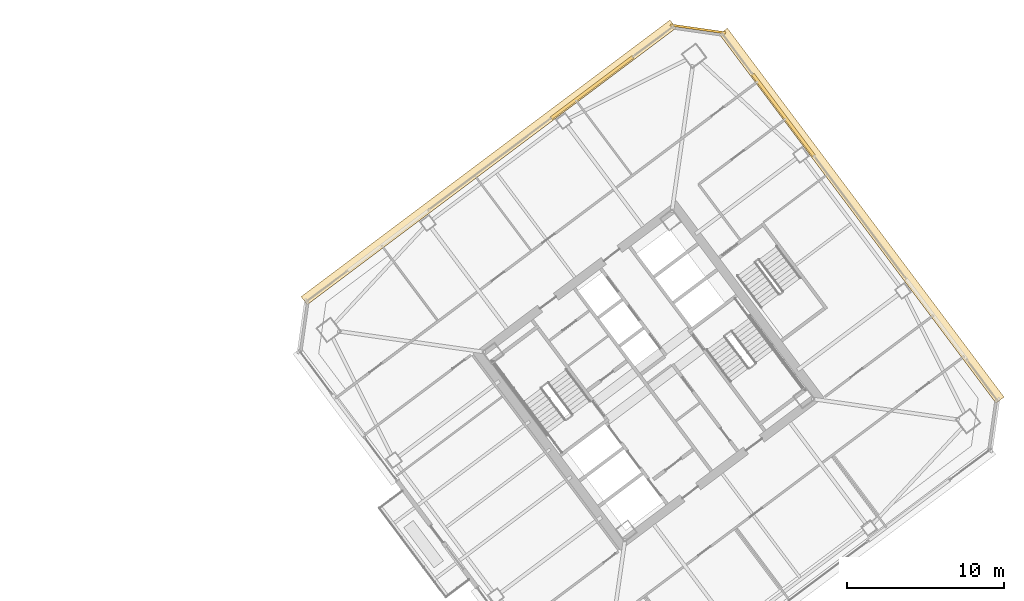
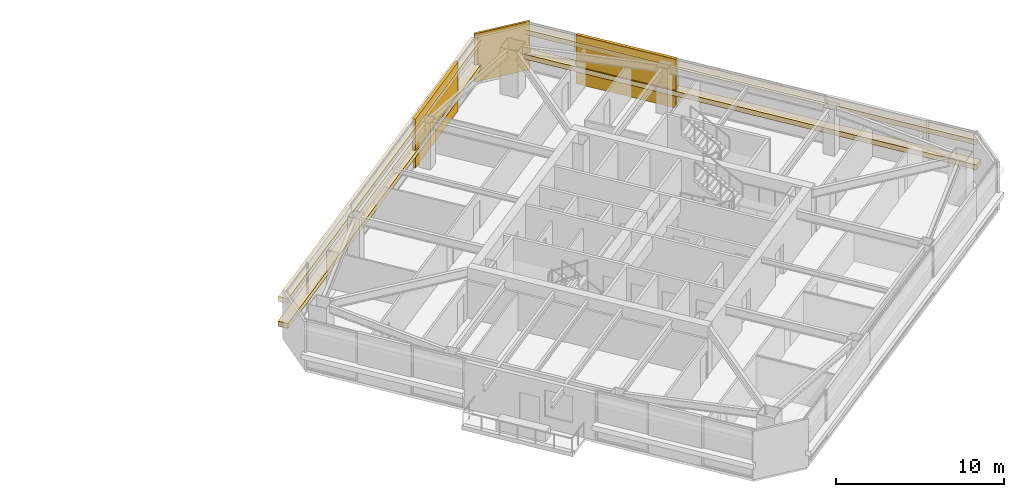
# One storey, part 41 of 41: 7 coverings.
"""IFC4 building model written with IfcOpenShell, lengths in metres."""

from ifc_helpers import new_model, si_unit, direction, frame, origin, origin_2d, place, context, subcontext, project, spatial, rectangle, extrude, material, layer, layer_set, type_object, element, save


model = new_model("IFC4")

# Units and contexts
model_context = context("Model", 3, precision=1e-05, world=origin(), true_north=direction((0.0, 1.0)))
body_context = subcontext(model_context, "Body", "Model", "MODEL_VIEW")
ifc_project = project(units=[si_unit("LENGTHUNIT", "METRE"), si_unit("AREAUNIT", "SQUARE_METRE"), si_unit("VOLUMEUNIT", "CUBIC_METRE"), si_unit("PLANEANGLEUNIT", "RADIAN"), si_unit("MASSUNIT", "GRAM", prefix="KILO")], contexts=[model_context])

# Site, building, storey
site_placement = place(None, origin())
site = spatial("IfcSite", under=ifc_project, at=site_placement, CompositionType="ELEMENT")
building_placement = place(site_placement, origin())
building = spatial("IfcBuilding", under=site, at=building_placement, Name="Tashvorn Skyway Center", CompositionType="ELEMENT")
storey_placement = place(building_placement, frame((0.0, 0.0, 171.199951171875)))
storey = spatial("IfcBuildingStorey", under=building, at=storey_placement, Name="L46", CompositionType="ELEMENT", Elevation=171.199951171875)

# Coverings
ifc_material_1 = material(Name="Precast concrete C40/50", Category="concrete")
ifc_layer_1 = layer(ifc_material_1, 0.199951171875)
ifc_layer_set_1 = layer_set([ifc_layer_1], Name="Precast concrete C40/50")
covering_type_1 = type_object("IfcCoveringType", Name="COV-BRACE-CLAD", PredefinedType="CLADDING", material=ifc_layer_set_1)
for number, where, z_axis, x_axis, name in (
    (1, (110.412109375, 50.283935546875, 0.0), (0.0, 0.0, 1.0), (0.799999996291, 0.600000004945, 0.0), "Tower 2 L46 North Unitised Curtain Wall Mega-Brace Cladding Band 2"),
    (2, (122.56396484375, 48.548095703125, 0.0), (0.0, 0.0, 1.0), (0.600000004945, -0.799999996291, 0.0), "Tower 2 L46 East Unitised Curtain Wall Mega-Brace Cladding Band 1"),
):
    element("IfcCovering", number, at=place(storey_placement, frame(where, z_axis=z_axis, x_axis=x_axis)), inside=storey, type_object=covering_type_1, Name=name, PredefinedType="CLADDING", context=body_context, shape_type="SweptSolid", body=[
        extrude(rectangle(XDim=6.47998046875, YDim=0.199951171875, at=origin_2d()), origin(), (0.0, 0.0, 1.0), 3.550048828125),
    ])
ifc_material_2 = material(Name="Perforated ceramic-coated bronze aluminium solar screen", Category="aluminium")
ifc_layer_2 = layer(ifc_material_2, 0.85009765625)
ifc_layer_set_2 = layer_set([ifc_layer_2], Name="Perforated ceramic-coated bronze aluminium solar screen")
covering_type_2 = type_object("IfcCoveringType", Name="COV-SOLAR-BAND", PredefinedType="CLADDING", material=ifc_layer_set_2)
for number, where, z_axis, x_axis, name in (
    (3, (103.847900390625, 45.535888671875, 0.919921875), (0.0, 0.0, 1.0), (0.799999996291, 0.600000004945, 0.0), "L46 Perforated Ceramic-Metal Solar Screen Louvre Band North 1"),
    (4, (103.847900390625, 45.535888671875, 2.72021484375), (0.0, 0.0, 1.0), (0.799999996291, 0.600000004945, 0.0), "L46 Perforated Ceramic-Metal Solar Screen Louvre Band North 2"),
    (5, (127.535888671875, 42.152099609375, 0.919921875), (0.0, 0.0, 1.0), (0.600000004945, -0.799999996291, 0.0), "L46 Perforated Ceramic-Metal Solar Screen Louvre Band East 1"),
    (6, (127.535888671875, 42.152099609375, 2.72021484375), (0.0, 0.0, 1.0), (0.600000004945, -0.799999996291, 0.0), "L46 Perforated Ceramic-Metal Solar Screen Louvre Band East 2"),
):
    element("IfcCovering", number, at=place(storey_placement, frame(where, z_axis=z_axis, x_axis=x_axis)), inside=storey, type_object=covering_type_2, Name=name, PredefinedType="CLADDING", context=body_context, shape_type="SweptSolid", body=[
        extrude(rectangle(XDim=29.280029296875, YDim=0.639892578125, at=origin_2d()), origin(), (0.0, 0.0, 1.0), 0.360107421875),
    ])
ifc_layer_3 = layer(ifc_material_1, 0.35009765625)
ifc_layer_set_3 = layer_set([ifc_layer_3], Name="Precast concrete C40/50")
covering_type_3 = type_object("IfcCoveringType", Name="COV-STONE-TRIM", PredefinedType="CLADDING", material=ifc_layer_set_3)
covering_placement = place(storey_placement, frame((117.14404296875, 54.008056640625, 0.02001953125), z_axis=(0.0, 0.0, 1.0), x_axis=(0.989949494535, -0.141421350118, 0.0)))
element("IfcCovering", 7, at=covering_placement, inside=storey, type_object=covering_type_3, Name="Tower 2 L46 NE Mojave Limestone Corner Quoin", PredefinedType="CLADDING", context=body_context, shape_type="SweptSolid", body=[
    extrude(rectangle(XDim=3.55419921875, YDim=0.139892578125, at=origin_2d()), origin(), (0.0, 0.0, 1.0), 3.510009765625),
])

save(model, "model.ifc")
